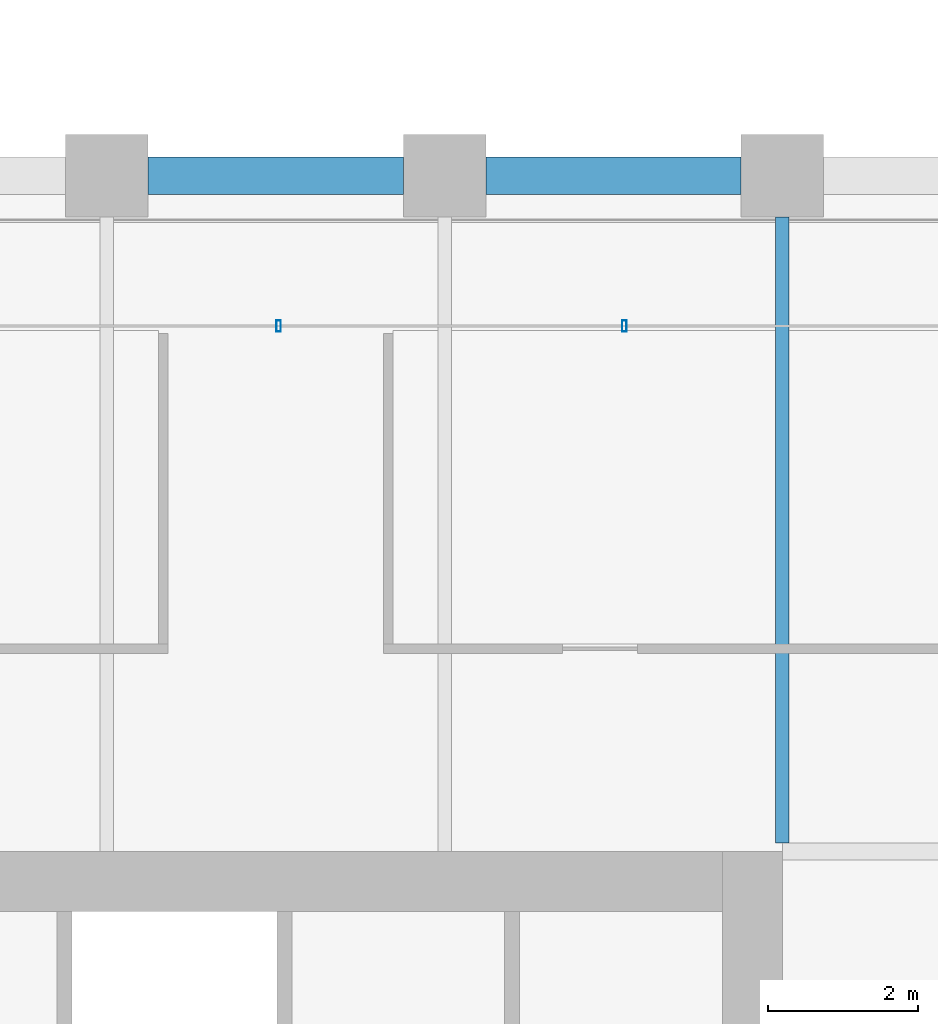
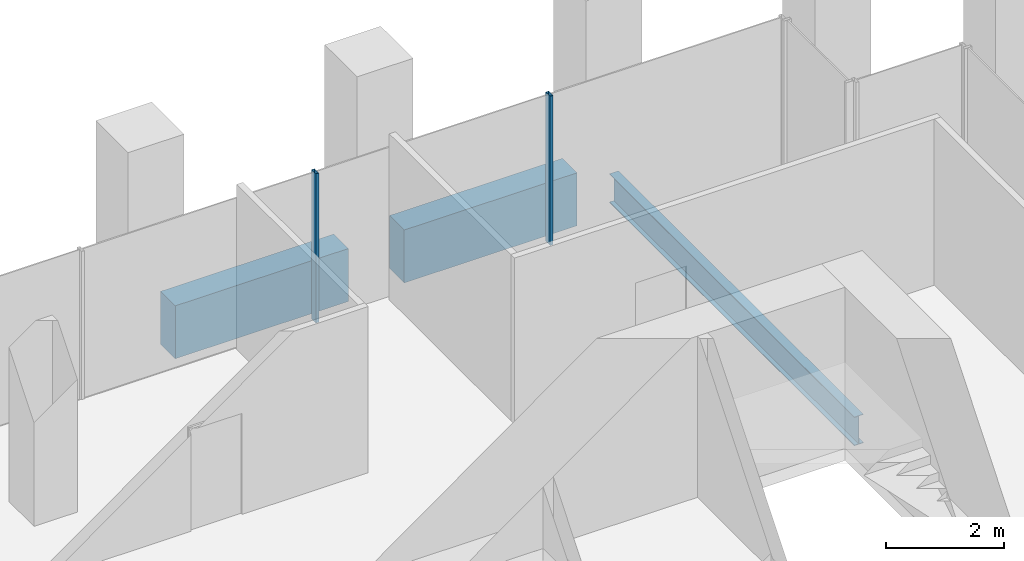
# One storey, part 44 of 56: 3 beams, 2 members, 1 element without a shape of its own.
"""IFC4 building model written with IfcOpenShell, lengths in metres."""

import ifcopenshell
import ifcopenshell.guid

model = None  # the IFC model being written
_history = None  # IfcOwnerHistory: only IFC2X3 demands one
_inside = {}  # id of a spatial element -> (the spatial element, [elements in it])
_under = {}  # id of a project, library or spatial element -> (it, [spatial elements below it])
_declared = {}  # id of a project -> (the project, [libraries it declares])
_typed = {}  # id of a type object -> (the type object, [elements of that type])
_made_of = {}  # id of a material, layer set ... -> (it, [elements and type objects made of it])


def new_model(schema):
    """Start an empty IFC model of exactly this schema.

    Asked for "IFC4X3", IfcOpenShell would pick the latest addendum, in which some entities
    have other attributes; the version numbers below select the first issue.
    IFC2X3 requires an IfcOwnerHistory on every rooted entity: one is made here for all.
    """
    global model, _history
    if schema == "IFC4X3":
        model = ifcopenshell.file(schema_version=(4, 3, 0, 0))
    else:
        model = ifcopenshell.file(schema=schema)
    _inside.clear()
    _under.clear()
    _declared.clear()
    _typed.clear()
    _made_of.clear()
    _history = None
    if model.schema == "IFC2X3":
        org = make("IfcOrganization", Name="unknown")
        user = make(
            "IfcPersonAndOrganization",
            ThePerson=make("IfcPerson", FamilyName="unknown"),
            TheOrganization=org,
        )
        app = make(
            "IfcApplication",
            ApplicationDeveloper=org,
            Version="unknown",
            ApplicationFullName="unknown",
            ApplicationIdentifier="unknown",
        )
        _history = make(
            "IfcOwnerHistory",
            OwningUser=user,
            OwningApplication=app,
            ChangeAction="ADDED",
            CreationDate=0,
        )
    return model


def make(cls, **values):
    """One entity of the class cls with the attributes given. An attribute that is None is left unset."""
    return model.create_entity(
        cls, **{name: value for name, value in values.items() if value is not None}
    )


def rooted(cls, **values):
    """An entity with a GlobalId (a new one), such as an element, a storey or a relation."""
    return make(cls, GlobalId=ifcopenshell.guid.new(), OwnerHistory=_history, **values)


def si_unit(unit_type, name, prefix=None):
    """IfcSIUnit, for example si_unit("LENGTHUNIT", "METRE", prefix="MILLI")."""
    return make("IfcSIUnit", UnitType=unit_type, Prefix=prefix, Name=name)


def assignment(units):
    """IfcUnitAssignment: the units of a project."""
    return None if units is None else make("IfcUnitAssignment", Units=units)


def point(xyz):
    """IfcCartesianPoint."""
    return None if xyz is None else make("IfcCartesianPoint", Coordinates=xyz)


def direction(xyz):
    """IfcDirection."""
    return None if xyz is None else make("IfcDirection", DirectionRatios=xyz)


def frame(location, z_axis=None, x_axis=None):
    """IfcAxis2Placement3D, a coordinate frame: its origin and axes. An axis left out is left unset."""
    return make(
        "IfcAxis2Placement3D",
        Location=point(location),
        Axis=direction(z_axis),
        RefDirection=direction(x_axis),
    )


def frame_2d(location, x_axis=None):
    """IfcAxis2Placement2D, a coordinate frame in the plane: its origin and x axis."""
    return make(
        "IfcAxis2Placement2D", Location=point(location), RefDirection=direction(x_axis)
    )


def origin():
    """The frame at (0, 0, 0) with its axes left unset."""
    return frame((0.0, 0.0, 0.0))


def origin_2d():
    """The frame at (0, 0) in the plane with its x axis left unset."""
    return frame_2d((0.0, 0.0))


def place(relative_to, where):
    """IfcLocalPlacement: puts the frame where relative to a parent placement (None: the world)."""
    return make(
        "IfcLocalPlacement", PlacementRelTo=relative_to, RelativePlacement=where
    )


def context(
    kind, dimensions, precision=None, world=None, true_north=None, identifier=None
):
    """IfcGeometricRepresentationContext, for example the 3D "Model" context."""
    return make(
        "IfcGeometricRepresentationContext",
        ContextIdentifier=identifier,
        ContextType=kind,
        CoordinateSpaceDimension=dimensions,
        Precision=precision,
        WorldCoordinateSystem=world,
        TrueNorth=true_north,
    )


def subcontext(parent, identifier, kind, view, scale=None):
    """IfcGeometricRepresentationSubContext, for example "Body" below "Model"."""
    return make(
        "IfcGeometricRepresentationSubContext",
        ContextIdentifier=identifier,
        ContextType=kind,
        ParentContext=parent,
        TargetScale=scale,
        TargetView=view,
    )


def project(units=None, contexts=None):
    """IfcProject with its units and contexts."""
    return rooted(
        "IfcProject",
        Name="project",
        RepresentationContexts=contexts,
        UnitsInContext=assignment(units),
    )


def spatial(cls, under=None, at=None, **own):
    """A site, building, storey or space (cls), placed at a placement, below another one or the project."""
    s = rooted(cls, ObjectPlacement=at, **own)
    if under is not None:
        _under.setdefault(under.id(), (under, []))[1].append(s)
    return s


def profile(cls, at=None, kind="AREA", **sizes):
    """A parametric profile (cls). Its sizes go by their IFC names, for example OverallWidth=200.0."""
    return make(cls, ProfileType=kind, Position=at, **sizes)


def rectangle(**sizes):
    """IfcRectangleProfileDef."""
    return profile("IfcRectangleProfileDef", **sizes)


def hollow_rectangle(**sizes):
    """IfcRectangleHollowProfileDef."""
    return profile("IfcRectangleHollowProfileDef", **sizes)


def i_section(**sizes):
    """IfcIShapeProfileDef."""
    return profile("IfcIShapeProfileDef", **sizes)


def extrude(swept, where, along, depth):
    """IfcExtrudedAreaSolid: the profile swept, set in the frame where, extruded along a direction by depth."""
    return make(
        "IfcExtrudedAreaSolid",
        SweptArea=swept,
        Position=where,
        ExtrudedDirection=direction(along),
        Depth=depth,
    )


def shape(context_of_items, identifier, shape_type, items):
    """IfcShapeRepresentation: the items that make up one representation, for example the "Body"."""
    return make(
        "IfcShapeRepresentation",
        ContextOfItems=context_of_items,
        RepresentationIdentifier=identifier,
        RepresentationType=shape_type,
        Items=items,
    )


def material(Name=None, Category=None):
    """IfcMaterial."""
    return make("IfcMaterial", Name=Name, Category=Category)


def material_profile(
    of_material, cross_section, Name=None, Category=None, Priority=None
):
    """IfcMaterialProfile: a cross section and its material."""
    return make(
        "IfcMaterialProfile",
        Name=Name,
        Material=of_material,
        Profile=cross_section,
        Priority=Priority,
        Category=Category,
    )


def profile_set(profiles, Name=None, composite=None):
    """IfcMaterialProfileSet."""
    return make(
        "IfcMaterialProfileSet",
        Name=Name,
        MaterialProfiles=profiles,
        CompositeProfile=composite,
    )


def made_of(thing, what):
    """Note that an element or type object is made of a material, layer set ...; save() writes the relation."""
    if what is not None:
        _made_of.setdefault(what.id(), (what, []))[1].append(thing)
    return thing


def type_object(cls, material=None, **own):
    """A type object (cls), such as IfcWallType, which elements share."""
    return made_of(rooted(cls, **own), material)


def element(
    cls,
    number,
    at=None,
    inside=None,
    cuts=None,
    type_object=None,
    material=None,
    context=None,
    identifier="Body",
    shape_type=None,
    held_by="IfcProductDefinitionShape",
    body=None,
    shapes=None,
    **own,
):
    """One element of the class cls, such as IfcWall. Its Tag is "e" and its number.

    at: its placement. inside: the storey or other place that contains it. cuts: it is an
    opening in that element (IfcRelVoidsElement). A single representation is given by context,
    identifier, shape_type and body (its items); several are given by shapes. held_by: the class
    of the entity that holds the representations. save() writes the other relations.
    """
    e = rooted(cls, Tag="e%d" % number, ObjectPlacement=at, **own)
    if body is not None:
        shapes = [shape(context, identifier, shape_type, body)]
    if shapes is not None:
        e.Representation = make(held_by, Representations=shapes)
    if inside is not None:
        _inside.setdefault(inside.id(), (inside, []))[1].append(e)
    if cuts is not None:
        rooted(
            "IfcRelVoidsElement", RelatingBuildingElement=cuts, RelatedOpeningElement=e
        )
    if type_object is not None:
        _typed.setdefault(type_object.id(), (type_object, []))[1].append(e)
    return made_of(e, material)


def aggregate(whole, parts):
    """IfcRelAggregates: a whole, such as a stair, and the parts it consists of."""
    return rooted("IfcRelAggregates", RelatingObject=whole, RelatedObjects=parts)


def save(model, path):
    """Write the relations noted so far, then the file.

    IfcRelAggregates (storeys below a building ...), IfcRelContainedInSpatialStructure (elements
    in a storey), IfcRelDefinesByType, IfcRelAssociatesMaterial and IfcRelDeclares: one each for
    every whole, place, type object, material and project.
    """
    for whole, parts in _under.values():
        aggregate(whole, parts)
    for where, things in _inside.values():
        rooted(
            "IfcRelContainedInSpatialStructure",
            RelatedElements=things,
            RelatingStructure=where,
        )
    for kind, things in _typed.values():
        rooted("IfcRelDefinesByType", RelatedObjects=things, RelatingType=kind)
    for what, things in _made_of.values():
        rooted("IfcRelAssociatesMaterial", RelatedObjects=things, RelatingMaterial=what)
    for by, libraries in _declared.values():
        rooted("IfcRelDeclares", RelatingContext=by, RelatedDefinitions=libraries)
    model.write(path)


model = new_model("IFC4")

# Units and contexts
model_context = context("Model", 3, precision=1e-05, world=origin(), true_north=direction((0.0, 1.0)))
body_context = subcontext(model_context, "Body", "Model", "MODEL_VIEW")
ifc_project = project(units=[si_unit("LENGTHUNIT", "METRE"), si_unit("AREAUNIT", "SQUARE_METRE"), si_unit("VOLUMEUNIT", "CUBIC_METRE"), si_unit("PLANEANGLEUNIT", "RADIAN"), si_unit("MASSUNIT", "GRAM", prefix="KILO")], contexts=[model_context])

# Site, building, storey
site_placement = place(None, origin())
site = spatial("IfcSite", under=ifc_project, at=site_placement, CompositionType="ELEMENT")
building_placement = place(site_placement, origin())
building = spatial("IfcBuilding", under=site, at=building_placement, Name="Altepetl Exchange Towers", CompositionType="ELEMENT")
storey_placement = place(building_placement, frame((0.0, 0.0, 79.800048828125)))
storey = spatial("IfcBuildingStorey", under=building, at=storey_placement, Name="L19", CompositionType="ELEMENT", Elevation=79.800048828125)

# Beam
ifc_material_1 = material(Name="Steel S355", Category="steel")
ifc_material_profile_1 = material_profile(ifc_material_1, i_section(OverallWidth=0.177978515625, OverallDepth=0.59912109375, WebThickness=0.010009765625, FlangeThickness=0.0126953125, at=origin_2d()), Name="W24X55")
ifc_profile_set_1 = profile_set([ifc_material_profile_1], Name="Steel S355")
beam_type_1 = type_object("IfcBeamType", Name="Floor beam W24X55", PredefinedType="BEAM", material=ifc_profile_set_1)
beam_placement = place(storey_placement, frame((117.0, 49.614013671875, -0.449462890625), z_axis=(0.0, 1.0, 0.0), x_axis=(-1.0, 0.0, 0.0)))
element("IfcBeam", 1, at=beam_placement, inside=storey, type_object=beam_type_1, Name="bm:B:L19:002", PredefinedType="BEAM", context=body_context, shape_type="SweptSolid", body=[
    extrude(i_section(OverallWidth=0.177978515625, OverallDepth=0.59912109375, WebThickness=0.010009765625, FlangeThickness=0.0126953125, at=origin_2d()), origin(), (0.0, 0.0, 1.0), 8.3359375),
])

# Curtain wall, members
ifc_material_2 = material(Name="Aluminium 6063-T6 glazing", Category="aluminium")
curtain_wall_type = type_object("IfcCurtainWallType", Name="Loggia glazing system", PredefinedType="NOTDEFINED", material=ifc_material_2)
curtain_wall_placement = place(storey_placement, origin())
curtain_wall = element("IfcCurtainWall", 2, at=curtain_wall_placement, inside=storey, type_object=curtain_wall_type, Name="CW1 run", PredefinedType="NOTDEFINED")
ifc_material_3 = material(Name="Aluminium 6063-T6", Category="aluminium")
ifc_material_profile_2 = material_profile(ifc_material_3, hollow_rectangle(XDim=0.06005859375, YDim=0.14990234375, WallThickness=0.0029296875, at=origin_2d()), Name="Mullion 60x150 aluminium")
ifc_profile_set_2 = profile_set([ifc_material_profile_2], Name="Aluminium 6063-T6")
member_type = type_object("IfcMemberType", Name="Mullion 60x150 aluminium", PredefinedType="MULLION", material=ifc_profile_set_2)
member_1_placement = place(storey_placement, frame((114.893798828125, 56.5, 0.0), z_axis=(0.0, 0.0, 1.0), x_axis=(-1.0, 0.0, 0.0)))
member_1 = element("IfcMember", 3, at=member_1_placement, type_object=member_type, Name="MU1 mullion", PredefinedType="MULLION", context=body_context, shape_type="SweptSolid", body=[
    extrude(hollow_rectangle(XDim=0.06005859375, YDim=0.14990234375, WallThickness=0.0029296875, at=origin_2d()), origin(), (0.0, 0.0, 1.0), 3.099853515625),
])
member_2_placement = place(storey_placement, frame((110.28759765625, 56.5, 0.0), z_axis=(0.0, 0.0, 1.0), x_axis=(-1.0, 0.0, 0.0)))
member_2 = element("IfcMember", 4, at=member_2_placement, type_object=member_type, Name="MU1 mullion", PredefinedType="MULLION", context=body_context, shape_type="SweptSolid", body=[
    extrude(hollow_rectangle(XDim=0.06005859375, YDim=0.14990234375, WallThickness=0.0029296875, at=origin_2d()), origin(), (0.0, 0.0, 1.0), 3.099853515625),
])
aggregate(curtain_wall, [member_1, member_2])

# Beams
ifc_material_4 = material(Name="Concrete C50/60 precast with cantera amarilla facing", Category="concrete")
ifc_material_profile_3 = material_profile(ifc_material_4, rectangle(XDim=0.5, YDim=1.10009765625, at=origin_2d()), Name="500 x 1100")
ifc_profile_set_3 = profile_set([ifc_material_profile_3], Name="Concrete C50/60 precast with cantera amarilla facing")
beam_type_2 = type_object("IfcBeamType", Name="Spandrel beam 500x1100 cantera amarilla", PredefinedType="SPANDREL", material=ifc_profile_set_3)
for number, where, z_axis, x_axis, name in (
    (5, (116.449951171875, 58.5, -0.699951171875), (-1.0, 0.0, 0.0), (0.0, -1.0, 0.0), "sp:B:L19:019"),
    (6, (111.949951171875, 58.5, -0.699951171875), (-1.0, 0.0, 0.0), (0.0, -1.0, 0.0), "sp:B:L19:020"),
):
    element("IfcBeam", number, at=place(storey_placement, frame(where, z_axis=z_axis, x_axis=x_axis)), inside=storey, type_object=beam_type_2, Name=name, PredefinedType="SPANDREL", context=body_context, shape_type="SweptSolid", body=[
        extrude(rectangle(XDim=0.5, YDim=1.10009765625, at=origin_2d()), origin(), (0.0, 0.0, 1.0), 3.39990234375),
    ])

save(model, "model.ifc")
